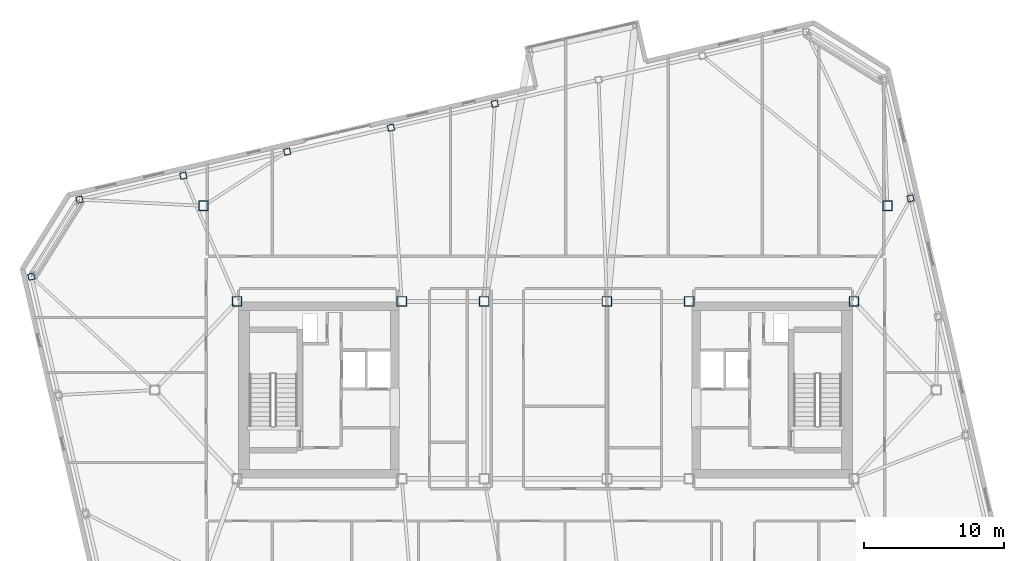
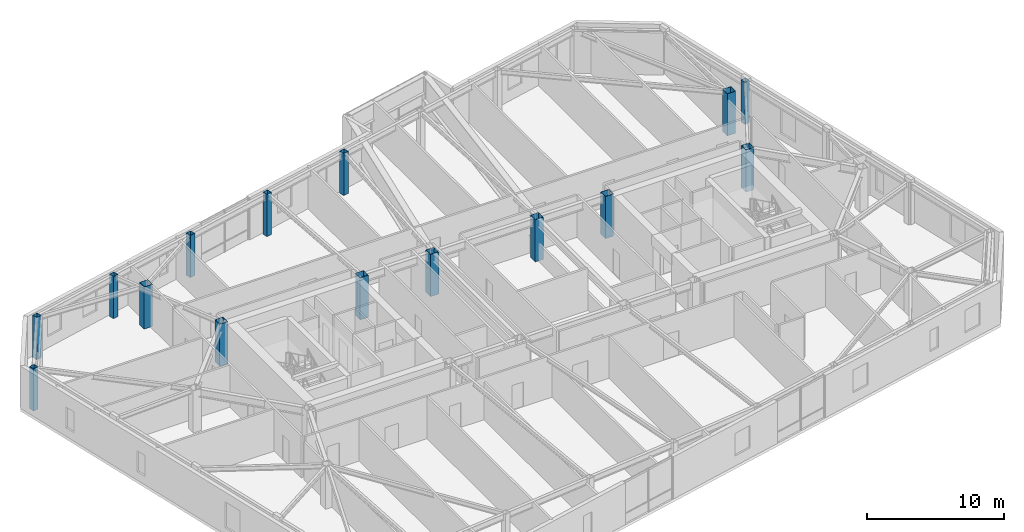
# One storey, part 2 of 24: 15 columns.
"""IFC4 building model written with IfcOpenShell, lengths in metres."""

from ifc_helpers import new_model, si_unit, direction, frame, origin, origin_2d, place, context, subcontext, project, spatial, hollow_rectangle, extrude, material, material_profile, profile_set, type_object, element, save


model = new_model("IFC4")

# Units and contexts
model_context = context("Model", 3, precision=1e-05, world=origin(), true_north=direction((0.0, 1.0)))
body_context = subcontext(model_context, "Body", "Model", "MODEL_VIEW")
ifc_project = project(units=[si_unit("LENGTHUNIT", "METRE"), si_unit("AREAUNIT", "SQUARE_METRE"), si_unit("VOLUMEUNIT", "CUBIC_METRE"), si_unit("PLANEANGLEUNIT", "RADIAN"), si_unit("MASSUNIT", "GRAM", prefix="KILO")], contexts=[model_context])

# Site, building, storey
site_placement = place(None, origin())
site = spatial("IfcSite", under=ifc_project, at=site_placement, CompositionType="ELEMENT")
building_placement = place(site_placement, origin())
building = spatial("IfcBuilding", under=site, at=building_placement, Name="Tavrogorsk Clinical Tower", CompositionType="ELEMENT")
storey_placement = place(building_placement, frame((0.0, 0.0, 309.0)))
storey = spatial("IfcBuildingStorey", under=building, at=storey_placement, Name="L72", CompositionType="ELEMENT", Elevation=309.0)

# Columns
ifc_material_1 = material(Name="Structural steel S440", Category="steel")
ifc_material_profile_1 = material_profile(ifc_material_1, hollow_rectangle(XDim=0.699951171875, YDim=0.699951171875, WallThickness=0.031982421875, at=origin_2d()), Name="BOX-700x700x32")
ifc_profile_set_1 = profile_set([ifc_material_profile_1], Name="Structural steel S440")
column_type_1 = type_object("IfcColumnType", Name="MegaCol_BOX700", PredefinedType="COLUMN", material=ifc_profile_set_1)
for number, where, z_axis, x_axis, name in (
    (1, (-22.10009765625, 6.35009765625, 0.0), (0.0, 0.0, 1.0), (1.0, 0.0, 0.0), "L72 Mega Column MC-W2"),
    (2, (-10.300048828125, 6.35009765625, 0.0), (0.0, 0.0, 1.0), (1.0, 0.0, 0.0), "L72 Mega Column MC-W4"),
    (3, (10.300048828125, 6.35009765625, 0.0), (0.0, 0.0, 1.0), (1.0, 0.0, 0.0), "L72 Mega Column MC-E2"),
    (4, (22.10009765625, 6.35009765625, 0.0), (0.0, 0.0, 1.0), (1.0, 0.0, 0.0), "L72 Mega Column MC-E4"),
    (5, (-4.39990234375, 6.35009765625, 0.0), (0.0, 0.0, 1.0), (1.0, 0.0, 0.0), "L72 Mega Column MC-C3"),
    (6, (4.39990234375, 6.35009765625, 0.0), (0.0, 0.0, 1.0), (1.0, 0.0, 0.0), "L72 Mega Column MC-C4"),
    (7, (-24.5, 13.199951171875, 0.0), (0.0, 0.0, 1.0), (1.0, 0.0, 0.0), "L72 Spine Pilotis Column MC-P3"),
    (8, (24.5, 13.199951171875, 0.0), (0.0, 0.0, 1.0), (1.0, 0.0, 0.0), "L72 Spine Pilotis Column MC-P4"),
):
    element("IfcColumn", number, at=place(storey_placement, frame(where, z_axis=z_axis, x_axis=x_axis)), inside=storey, type_object=column_type_1, Name=name, PredefinedType="COLUMN", context=body_context, shape_type="SweptSolid", body=[
        extrude(hollow_rectangle(XDim=0.699951171875, YDim=0.699951171875, WallThickness=0.031982421875, at=origin_2d()), origin(), (0.0, 0.0, 1.0), 3.739990234375),
    ])
ifc_material_2 = material(Name="Structural steel S440", Category="steel")
ifc_material_profile_2 = material_profile(ifc_material_2, hollow_rectangle(XDim=0.449951171875, YDim=0.449951171875, WallThickness=0.02197265625, at=origin_2d()), Name="BOX-450x450x22")
ifc_profile_set_2 = profile_set([ifc_material_profile_2], Name="Structural steel S440")
column_type_2 = type_object("IfcColumnType", Name="PerimCol_B5_BOX450", PredefinedType="COLUMN", material=ifc_profile_set_2)
for number, where, z_axis, x_axis, name in (
    (9, (-3.63427734375, 20.514404296875, 0.0), (0.0, 0.0, 1.0), (0.974370064785, 0.224951054344, 0.0), "L72 Perimeter Column N4"),
    (10, (-11.07275390625, 18.797119140625, 0.0), (0.0, 0.0, 1.0), (0.974370064785, 0.224951054344, 0.0), "L72 Perimeter Column N5"),
    (11, (-18.51123046875, 17.07958984375, 0.0), (0.0, 0.0, 1.0), (0.974370064785, 0.224951054344, 0.0), "L72 Perimeter Column N6"),
    (12, (-25.949951171875, 15.3623046875, 0.0), (0.0, 0.0, 1.0), (0.974370064785, 0.224951054344, 0.0), "L72 Perimeter Column N7"),
    (13, (-33.388671875, 13.64501953125, 0.0), (0.0, 0.0, 1.0), (0.974370064785, 0.224951054344, 0.0), "L72 Perimeter Column N8"),
    (14, (26.157958984375, 13.732177734375, 0.0), (0.0, 0.0, 1.0), (0.974370064785, 0.224951054344, 0.0), "L72 Perimeter Column E4"),
    (15, (-36.8359375, 8.128173828125, 0.0), (0.0, 0.0, 1.0), (0.974370064785, 0.224951054344, 0.0), "L72 Perimeter Column W1"),
):
    element("IfcColumn", number, at=place(storey_placement, frame(where, z_axis=z_axis, x_axis=x_axis)), inside=storey, type_object=column_type_2, Name=name, PredefinedType="COLUMN", context=body_context, shape_type="SweptSolid", body=[
        extrude(hollow_rectangle(XDim=0.449951171875, YDim=0.449951171875, WallThickness=0.02197265625, at=origin_2d()), origin(), (0.0, 0.0, 1.0), 3.739990234375),
    ])

save(model, "model.ifc")
